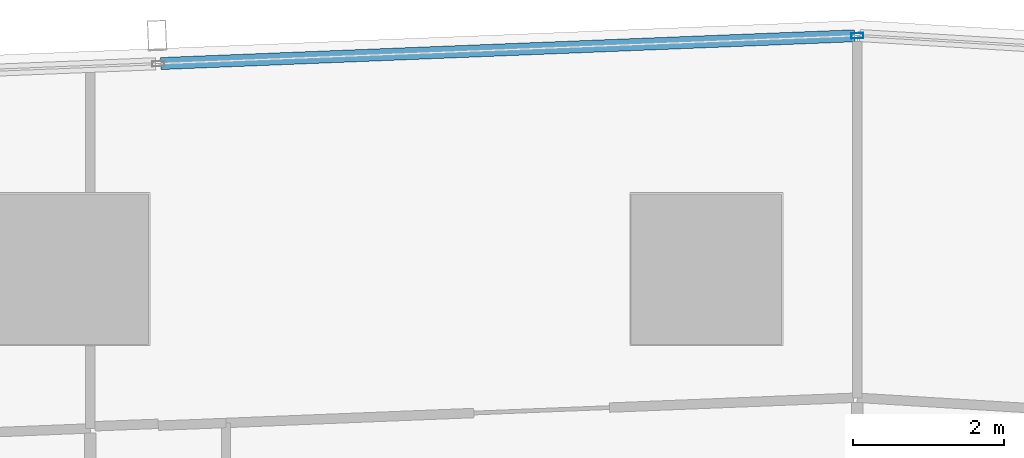
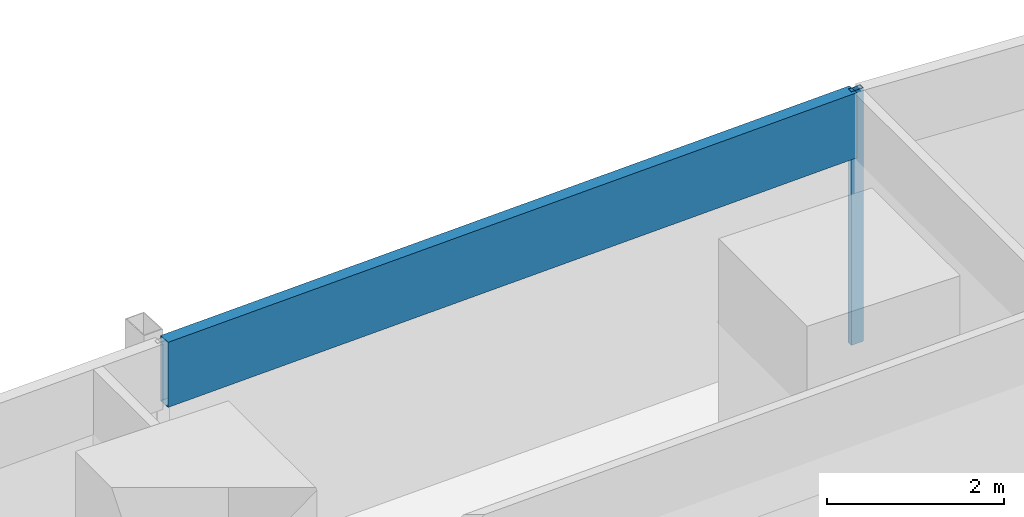
# One storey, part 21 of 39: 2 members, 1 element without a shape of its own.
"""IFC4 building model written with IfcOpenShell, lengths in metres."""

import ifcopenshell
import ifcopenshell.guid

model = None  # the IFC model being written
_history = None  # IfcOwnerHistory: only IFC2X3 demands one
_inside = {}  # id of a spatial element -> (the spatial element, [elements in it])
_under = {}  # id of a project, library or spatial element -> (it, [spatial elements below it])
_declared = {}  # id of a project -> (the project, [libraries it declares])
_typed = {}  # id of a type object -> (the type object, [elements of that type])
_made_of = {}  # id of a material, layer set ... -> (it, [elements and type objects made of it])


def new_model(schema):
    """Start an empty IFC model of exactly this schema.

    Asked for "IFC4X3", IfcOpenShell would pick the latest addendum, in which some entities
    have other attributes; the version numbers below select the first issue.
    IFC2X3 requires an IfcOwnerHistory on every rooted entity: one is made here for all.
    """
    global model, _history
    if schema == "IFC4X3":
        model = ifcopenshell.file(schema_version=(4, 3, 0, 0))
    else:
        model = ifcopenshell.file(schema=schema)
    _inside.clear()
    _under.clear()
    _declared.clear()
    _typed.clear()
    _made_of.clear()
    _history = None
    if model.schema == "IFC2X3":
        org = make("IfcOrganization", Name="unknown")
        user = make(
            "IfcPersonAndOrganization",
            ThePerson=make("IfcPerson", FamilyName="unknown"),
            TheOrganization=org,
        )
        app = make(
            "IfcApplication",
            ApplicationDeveloper=org,
            Version="unknown",
            ApplicationFullName="unknown",
            ApplicationIdentifier="unknown",
        )
        _history = make(
            "IfcOwnerHistory",
            OwningUser=user,
            OwningApplication=app,
            ChangeAction="ADDED",
            CreationDate=0,
        )
    return model


def make(cls, **values):
    """One entity of the class cls with the attributes given. An attribute that is None is left unset."""
    return model.create_entity(
        cls, **{name: value for name, value in values.items() if value is not None}
    )


def rooted(cls, **values):
    """An entity with a GlobalId (a new one), such as an element, a storey or a relation."""
    return make(cls, GlobalId=ifcopenshell.guid.new(), OwnerHistory=_history, **values)


def si_unit(unit_type, name, prefix=None):
    """IfcSIUnit, for example si_unit("LENGTHUNIT", "METRE", prefix="MILLI")."""
    return make("IfcSIUnit", UnitType=unit_type, Prefix=prefix, Name=name)


def assignment(units):
    """IfcUnitAssignment: the units of a project."""
    return None if units is None else make("IfcUnitAssignment", Units=units)


def point(xyz):
    """IfcCartesianPoint."""
    return None if xyz is None else make("IfcCartesianPoint", Coordinates=xyz)


def direction(xyz):
    """IfcDirection."""
    return None if xyz is None else make("IfcDirection", DirectionRatios=xyz)


def frame(location, z_axis=None, x_axis=None):
    """IfcAxis2Placement3D, a coordinate frame: its origin and axes. An axis left out is left unset."""
    return make(
        "IfcAxis2Placement3D",
        Location=point(location),
        Axis=direction(z_axis),
        RefDirection=direction(x_axis),
    )


def frame_2d(location, x_axis=None):
    """IfcAxis2Placement2D, a coordinate frame in the plane: its origin and x axis."""
    return make(
        "IfcAxis2Placement2D", Location=point(location), RefDirection=direction(x_axis)
    )


def origin():
    """The frame at (0, 0, 0) with its axes left unset."""
    return frame((0.0, 0.0, 0.0))


def origin_2d():
    """The frame at (0, 0) in the plane with its x axis left unset."""
    return frame_2d((0.0, 0.0))


def place(relative_to, where):
    """IfcLocalPlacement: puts the frame where relative to a parent placement (None: the world)."""
    return make(
        "IfcLocalPlacement", PlacementRelTo=relative_to, RelativePlacement=where
    )


def context(
    kind, dimensions, precision=None, world=None, true_north=None, identifier=None
):
    """IfcGeometricRepresentationContext, for example the 3D "Model" context."""
    return make(
        "IfcGeometricRepresentationContext",
        ContextIdentifier=identifier,
        ContextType=kind,
        CoordinateSpaceDimension=dimensions,
        Precision=precision,
        WorldCoordinateSystem=world,
        TrueNorth=true_north,
    )


def subcontext(parent, identifier, kind, view, scale=None):
    """IfcGeometricRepresentationSubContext, for example "Body" below "Model"."""
    return make(
        "IfcGeometricRepresentationSubContext",
        ContextIdentifier=identifier,
        ContextType=kind,
        ParentContext=parent,
        TargetScale=scale,
        TargetView=view,
    )


def project(units=None, contexts=None):
    """IfcProject with its units and contexts."""
    return rooted(
        "IfcProject",
        Name="project",
        RepresentationContexts=contexts,
        UnitsInContext=assignment(units),
    )


def spatial(cls, under=None, at=None, **own):
    """A site, building, storey or space (cls), placed at a placement, below another one or the project."""
    s = rooted(cls, ObjectPlacement=at, **own)
    if under is not None:
        _under.setdefault(under.id(), (under, []))[1].append(s)
    return s


def profile(cls, at=None, kind="AREA", **sizes):
    """A parametric profile (cls). Its sizes go by their IFC names, for example OverallWidth=200.0."""
    return make(cls, ProfileType=kind, Position=at, **sizes)


def hollow_rectangle(**sizes):
    """IfcRectangleHollowProfileDef."""
    return profile("IfcRectangleHollowProfileDef", **sizes)


def extrude(swept, where, along, depth):
    """IfcExtrudedAreaSolid: the profile swept, set in the frame where, extruded along a direction by depth."""
    return make(
        "IfcExtrudedAreaSolid",
        SweptArea=swept,
        Position=where,
        ExtrudedDirection=direction(along),
        Depth=depth,
    )


def shape(context_of_items, identifier, shape_type, items):
    """IfcShapeRepresentation: the items that make up one representation, for example the "Body"."""
    return make(
        "IfcShapeRepresentation",
        ContextOfItems=context_of_items,
        RepresentationIdentifier=identifier,
        RepresentationType=shape_type,
        Items=items,
    )


def material(Name=None, Category=None):
    """IfcMaterial."""
    return make("IfcMaterial", Name=Name, Category=Category)


def material_profile(
    of_material, cross_section, Name=None, Category=None, Priority=None
):
    """IfcMaterialProfile: a cross section and its material."""
    return make(
        "IfcMaterialProfile",
        Name=Name,
        Material=of_material,
        Profile=cross_section,
        Priority=Priority,
        Category=Category,
    )


def profile_set(profiles, Name=None, composite=None):
    """IfcMaterialProfileSet."""
    return make(
        "IfcMaterialProfileSet",
        Name=Name,
        MaterialProfiles=profiles,
        CompositeProfile=composite,
    )


def made_of(thing, what):
    """Note that an element or type object is made of a material, layer set ...; save() writes the relation."""
    if what is not None:
        _made_of.setdefault(what.id(), (what, []))[1].append(thing)
    return thing


def type_object(cls, material=None, **own):
    """A type object (cls), such as IfcWallType, which elements share."""
    return made_of(rooted(cls, **own), material)


def element(
    cls,
    number,
    at=None,
    inside=None,
    cuts=None,
    type_object=None,
    material=None,
    context=None,
    identifier="Body",
    shape_type=None,
    held_by="IfcProductDefinitionShape",
    body=None,
    shapes=None,
    **own,
):
    """One element of the class cls, such as IfcWall. Its Tag is "e" and its number.

    at: its placement. inside: the storey or other place that contains it. cuts: it is an
    opening in that element (IfcRelVoidsElement). A single representation is given by context,
    identifier, shape_type and body (its items); several are given by shapes. held_by: the class
    of the entity that holds the representations. save() writes the other relations.
    """
    e = rooted(cls, Tag="e%d" % number, ObjectPlacement=at, **own)
    if body is not None:
        shapes = [shape(context, identifier, shape_type, body)]
    if shapes is not None:
        e.Representation = make(held_by, Representations=shapes)
    if inside is not None:
        _inside.setdefault(inside.id(), (inside, []))[1].append(e)
    if cuts is not None:
        rooted(
            "IfcRelVoidsElement", RelatingBuildingElement=cuts, RelatedOpeningElement=e
        )
    if type_object is not None:
        _typed.setdefault(type_object.id(), (type_object, []))[1].append(e)
    return made_of(e, material)


def aggregate(whole, parts):
    """IfcRelAggregates: a whole, such as a stair, and the parts it consists of."""
    return rooted("IfcRelAggregates", RelatingObject=whole, RelatedObjects=parts)


def save(model, path):
    """Write the relations noted so far, then the file.

    IfcRelAggregates (storeys below a building ...), IfcRelContainedInSpatialStructure (elements
    in a storey), IfcRelDefinesByType, IfcRelAssociatesMaterial and IfcRelDeclares: one each for
    every whole, place, type object, material and project.
    """
    for whole, parts in _under.values():
        aggregate(whole, parts)
    for where, things in _inside.values():
        rooted(
            "IfcRelContainedInSpatialStructure",
            RelatedElements=things,
            RelatingStructure=where,
        )
    for kind, things in _typed.values():
        rooted("IfcRelDefinesByType", RelatedObjects=things, RelatingType=kind)
    for what, things in _made_of.values():
        rooted("IfcRelAssociatesMaterial", RelatedObjects=things, RelatingMaterial=what)
    for by, libraries in _declared.values():
        rooted("IfcRelDeclares", RelatingContext=by, RelatedDefinitions=libraries)
    model.write(path)


model = new_model("IFC4")

# Units and contexts
model_context = context("Model", 3, precision=1e-05, world=origin(), true_north=direction((0.0, 1.0)))
body_context = subcontext(model_context, "Body", "Model", "MODEL_VIEW")
ifc_project = project(units=[si_unit("LENGTHUNIT", "METRE"), si_unit("AREAUNIT", "SQUARE_METRE"), si_unit("VOLUMEUNIT", "CUBIC_METRE"), si_unit("PLANEANGLEUNIT", "RADIAN"), si_unit("MASSUNIT", "GRAM", prefix="KILO")], contexts=[model_context])

# Site, building, storey
site_placement = place(None, origin())
site = spatial("IfcSite", under=ifc_project, at=site_placement, CompositionType="ELEMENT")
building_placement = place(site_placement, origin())
building = spatial("IfcBuilding", under=site, at=building_placement, Name="Rekha Terrace Tower", CompositionType="ELEMENT")
storey_placement = place(building_placement, frame((0.0, 0.0, 151.550048828125)))
storey = spatial("IfcBuildingStorey", under=building, at=storey_placement, Name="L38", CompositionType="ELEMENT", Elevation=151.550048828125)

# Curtain wall, members
ifc_material_1 = material(Name="Aluminium framing", Category="aluminium")
curtain_wall_type = type_object("IfcCurtainWallType", Name="CW3 north unitised glazing", PredefinedType="USERDEFINED", material=ifc_material_1)
curtain_wall_placement = place(storey_placement, origin())
curtain_wall = element("IfcCurtainWall", 1, at=curtain_wall_placement, inside=storey, type_object=curtain_wall_type, Name="CW3 unitised curtain wall", ObjectType="UNITISED CURTAIN WALL", PredefinedType="USERDEFINED")
ifc_material_2 = material(Name="Aluminium mullion section", Category="aluminium")
ifc_material_profile_1 = material_profile(ifc_material_2, hollow_rectangle(XDim=0.070068359375, YDim=0.159912109375, WallThickness=0.00390625, at=origin_2d()), Name="AL RHS 70x160")
ifc_profile_set_1 = profile_set([ifc_material_profile_1], Name="Aluminium mullion section")
member_type_1 = type_object("IfcMemberType", Name="CW3 mullion RHS 70 x 160", PredefinedType="MULLION", material=ifc_profile_set_1)
member_1_placement = place(storey_placement, frame((44.0029296875, 61.8984375, 0.0), z_axis=(0.0, 0.0, 1.0), x_axis=(0.040031987119, -0.999198398721, 0.0)))
member_1 = element("IfcMember", 2, at=member_1_placement, type_object=member_type_1, Name="CW3 mullion 1", PredefinedType="MULLION", context=body_context, shape_type="SweptSolid", body=[
    extrude(hollow_rectangle(XDim=0.070068359375, YDim=0.159912109375, WallThickness=0.00390625, at=origin_2d()), origin(), (0.0, 0.0, 1.0), 3.5),
])
ifc_material_3 = material(Name="Insulated aluminium spandrel box", Category="aluminium")
ifc_material_profile_2 = material_profile(ifc_material_3, hollow_rectangle(XDim=0.159912109375, YDim=0.89990234375, WallThickness=0.0029296875, at=origin_2d()), Name="AL SPANDREL BOX 160x900")
ifc_profile_set_2 = profile_set([ifc_material_profile_2], Name="Insulated aluminium spandrel box")
member_type_2 = type_object("IfcMemberType", Name="CW3 spandrel transom 160 x 900", PredefinedType="USERDEFINED", material=ifc_profile_set_2)
member_2_placement = place(storey_placement, frame((43.968017578125, 61.89697265625, 3.050048828125), z_axis=(-0.999198290018, -0.04003470026, 0.0), x_axis=(0.04003470026, -0.999198290018, 0.0)))
member_2 = element("IfcMember", 3, at=member_2_placement, type_object=member_type_2, Name="CW3 spandrel transom 1", ObjectType="TRANSOM", PredefinedType="USERDEFINED", context=body_context, shape_type="SweptSolid", body=[
    extrude(hollow_rectangle(XDim=0.159912109375, YDim=0.89990234375, WallThickness=0.0029296875, at=origin_2d()), origin(), (0.0, 0.0, 1.0), 9.21435546875),
])
aggregate(curtain_wall, [member_1, member_2])

save(model, "model.ifc")
